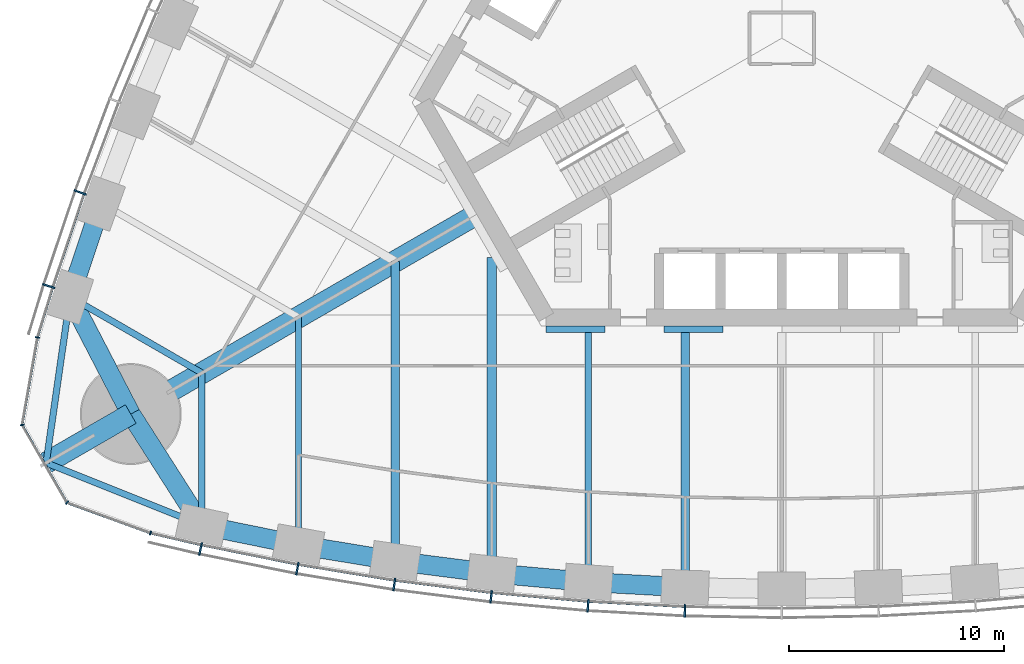
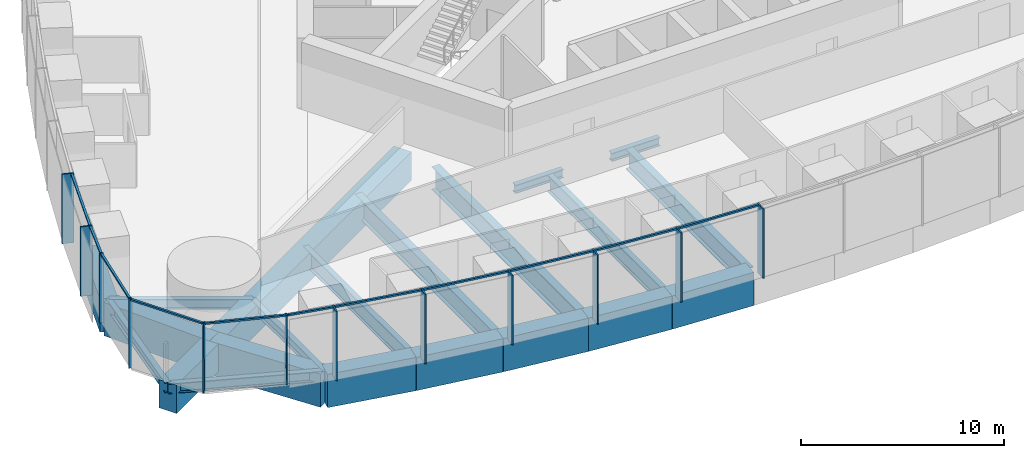
# One storey, part 2 of 18: 23 members, 21 beams, 3 elements without a shape of their own.
"""IFC4 building model written with IfcOpenShell, lengths in metres."""

from ifc_helpers import new_model, si_unit, direction, frame, origin, origin_2d, place, context, subcontext, project, spatial, rectangle, i_section, extrude, material, material_profile, profile_set, type_object, element, aggregate, save


model = new_model("IFC4")

# Units and contexts
model_context = context("Model", 3, precision=1e-05, world=origin(), true_north=direction((0.0, 1.0)))
body_context = subcontext(model_context, "Body", "Model", "MODEL_VIEW")
ifc_project = project(units=[si_unit("LENGTHUNIT", "METRE"), si_unit("AREAUNIT", "SQUARE_METRE"), si_unit("VOLUMEUNIT", "CUBIC_METRE"), si_unit("PLANEANGLEUNIT", "RADIAN"), si_unit("MASSUNIT", "GRAM", prefix="KILO")], contexts=[model_context])

# Site, building, storey
site_placement = place(None, origin())
site = spatial("IfcSite", under=ifc_project, at=site_placement, CompositionType="ELEMENT")
building_placement = place(site_placement, origin())
building = spatial("IfcBuilding", under=site, at=building_placement, Name="Trefoil Bronze Tower", CompositionType="ELEMENT")
storey_placement = place(building_placement, frame((0.0, 0.0, 111.5)))
storey = spatial("IfcBuildingStorey", under=building, at=storey_placement, Name="L25", CompositionType="ELEMENT", Elevation=111.5)

# Curtain wall, members
ifc_material_1 = material(Name="Tinted solar-control glass", Category="glass")
curtain_wall_type_1 = type_object("IfcCurtainWallType", Name="Bronze office curtain wall", PredefinedType="USERDEFINED", material=ifc_material_1)
curtain_wall_1_placement = place(storey_placement, origin())
curtain_wall_1 = element("IfcCurtainWall", 1, at=curtain_wall_1_placement, inside=storey, type_object=curtain_wall_type_1, Name="CW-A L25 F1", ObjectType="CURTAIN WALL", PredefinedType="USERDEFINED")
ifc_material_2 = material(Name="Bronze-finish aluminium", Category="aluminium")
ifc_material_profile_1 = material_profile(ifc_material_2, rectangle(XDim=0.60009765625, YDim=0.080078125, at=origin_2d()), Name="CW-A mullion")
ifc_profile_set_1 = profile_set([ifc_material_profile_1], Name="Bronze-finish aluminium")
member_type_1 = type_object("IfcMemberType", Name="Bronze office curtain wall mullion", PredefinedType="MULLION", material=ifc_profile_set_1)
member_1_placement = place(storey_placement, frame((-27.0634765625, -23.7890625, 0.0), z_axis=(0.0, 0.0, 1.0), x_axis=(0.21197042503, 0.977276081214, 0.0)))
member_1 = element("IfcMember", 2, at=member_1_placement, type_object=member_type_1, Name="CW-A L25 F1 mullion 2", PredefinedType="MULLION", context=body_context, shape_type="SweptSolid", body=[
    extrude(rectangle(XDim=0.60009765625, YDim=0.080078125, at=origin_2d()), origin(), (0.0, 0.0, 1.0), 4.179931640625),
])
member_2_placement = place(storey_placement, frame((-22.553955078125, -24.700927734375, 0.0), z_axis=(0.0, 0.0, 1.0), x_axis=(0.180240853954, 0.98362250613, 0.0)))
member_2 = element("IfcMember", 3, at=member_2_placement, type_object=member_type_1, Name="CW-A L25 F1 mullion 3", PredefinedType="MULLION", context=body_context, shape_type="SweptSolid", body=[
    extrude(rectangle(XDim=0.60009765625, YDim=0.080078125, at=origin_2d()), origin(), (0.0, 0.0, 1.0), 4.179931640625),
])
member_3_placement = place(storey_placement, frame((-18.043212890625, -25.4423828125, 0.0), z_axis=(0.0, 0.0, 1.0), x_axis=(0.144192103798, 0.989549714366, 0.0)))
member_3 = element("IfcMember", 4, at=member_3_placement, type_object=member_type_1, Name="CW-A L25 F1 mullion 4", PredefinedType="MULLION", context=body_context, shape_type="SweptSolid", body=[
    extrude(rectangle(XDim=0.60009765625, YDim=0.080078125, at=origin_2d()), origin(), (0.0, 0.0, 1.0), 4.179931640625),
])
member_4_placement = place(storey_placement, frame((-13.532470703125, -26.01611328125, 0.0), z_axis=(0.0, 0.0, 1.0), x_axis=(0.108143747013, 0.994135267447, 0.0)))
member_4 = element("IfcMember", 5, at=member_4_placement, type_object=member_type_1, Name="CW-A L25 F1 mullion 5", PredefinedType="MULLION", context=body_context, shape_type="SweptSolid", body=[
    extrude(rectangle(XDim=0.60009765625, YDim=0.080078125, at=origin_2d()), origin(), (0.0, 0.0, 1.0), 4.179931640625),
])
member_5_placement = place(storey_placement, frame((-9.021728515625, -26.424072265625, 0.0), z_axis=(0.0, 0.0, 1.0), x_axis=(0.072095676284, 0.997397720802, 0.0)))
member_5 = element("IfcMember", 6, at=member_5_placement, type_object=member_type_1, Name="CW-A L25 F1 mullion 6", PredefinedType="MULLION", context=body_context, shape_type="SweptSolid", body=[
    extrude(rectangle(XDim=0.60009765625, YDim=0.080078125, at=origin_2d()), origin(), (0.0, 0.0, 1.0), 4.179931640625),
])
member_6_placement = place(storey_placement, frame((-4.5107421875, -26.66845703125, 0.0), z_axis=(0.0, 0.0, 1.0), x_axis=(0.036047792107, 0.999350067136, 0.0)))
member_6 = element("IfcMember", 7, at=member_6_placement, type_object=member_type_1, Name="CW-A L25 F1 mullion 7", PredefinedType="MULLION", context=body_context, shape_type="SweptSolid", body=[
    extrude(rectangle(XDim=0.60009765625, YDim=0.080078125, at=origin_2d()), origin(), (0.0, 0.0, 1.0), 4.179931640625),
])

curtain_wall_2_placement = place(storey_placement, origin())
curtain_wall_2 = element("IfcCurtainWall", 8, at=curtain_wall_2_placement, inside=storey, type_object=curtain_wall_type_1, Name="CW-A L25 F3", ObjectType="CURTAIN WALL", PredefinedType="USERDEFINED")
member_7_placement = place(storey_placement, frame((-32.668701171875, -7.181884765625, 0.0), z_axis=(0.0, 0.0, 1.0), x_axis=(0.94196250502, -0.335718094742, 0.0)))
member_7 = element("IfcMember", 9, at=member_7_placement, type_object=member_type_1, Name="CW-A L25 F3 mullion 13", PredefinedType="MULLION", context=body_context, shape_type="SweptSolid", body=[
    extrude(rectangle(XDim=0.60009765625, YDim=0.080078125, at=origin_2d()), origin(), (0.0, 0.0, 1.0), 4.179931640625),
])
member_8_placement = place(storey_placement, frame((-34.1337890625, -11.543212890625, 0.0), z_axis=(0.0, 0.0, 1.0), x_axis=(0.952331125357, -0.30506626768, 0.0)))
member_8 = element("IfcMember", 10, at=member_8_placement, type_object=member_type_1, Name="CW-A L25 F3 mullion 14", PredefinedType="MULLION", context=body_context, shape_type="SweptSolid", body=[
    extrude(rectangle(XDim=0.60009765625, YDim=0.080078125, at=origin_2d()), origin(), (0.0, 0.0, 1.0), 4.179931640625),
])

# Member
ifc_material_3 = material(Name="Bronze-finish aluminium", Category="aluminium")
ifc_material_profile_2 = material_profile(ifc_material_3, rectangle(XDim=0.1201171875, YDim=0.10009765625, at=origin_2d()), Name="CW-A transom")
ifc_profile_set_2 = profile_set([ifc_material_profile_2], Name="Bronze-finish aluminium")
member_type_2 = type_object("IfcMemberType", Name="Bronze office curtain wall transom", PredefinedType="USERDEFINED", material=ifc_profile_set_2)
member_9_placement = place(storey_placement, frame((-29.34130859375, -23.05615234375, 4.1298828125), z_axis=(0.974206243495, -0.225659467196, 0.0), x_axis=(0.225659467196, 0.974206243495, 0.0)))
member_9 = element("IfcMember", 11, at=member_9_placement, type_object=member_type_2, Name="CW-A L25 F1 transom 1", ObjectType="TRANSOM", PredefinedType="USERDEFINED", context=body_context, shape_type="SweptSolid", body=[
    extrude(rectangle(XDim=0.1201171875, YDim=0.10009765625, at=origin_2d()), origin(), (0.0, 0.0, 1.0), 2.340087890625),
])

member_10_placement = place(storey_placement, frame((-26.980712890625, -23.601806640625, 4.1298828125), z_axis=(0.980153749225, -0.198238815273, 0.0), x_axis=(0.198238815273, 0.980153749225, 0.0)))
member_10 = element("IfcMember", 12, at=member_10_placement, type_object=member_type_2, Name="CW-A L25 F1 transom 2", ObjectType="TRANSOM", PredefinedType="USERDEFINED", context=body_context, shape_type="SweptSolid", body=[
    extrude(rectangle(XDim=0.1201171875, YDim=0.10009765625, at=origin_2d()), origin(), (0.0, 0.0, 1.0), 4.51123046875),
])

member_11_placement = place(storey_placement, frame((-22.476806640625, -24.510986328125, 4.1298828125), z_axis=(0.986755265284, -0.162216048636, 0.0), x_axis=(0.162216048636, 0.986755265284, 0.0)))
member_11 = element("IfcMember", 13, at=member_11_placement, type_object=member_type_2, Name="CW-A L25 F1 transom 3", ObjectType="TRANSOM", PredefinedType="USERDEFINED", context=body_context, shape_type="SweptSolid", body=[
    extrude(rectangle(XDim=0.1201171875, YDim=0.10009765625, at=origin_2d()), origin(), (0.0, 0.0, 1.0), 4.48046875),
])

member_12_placement = place(storey_placement, frame((-17.972900390625, -25.249755859375, 4.1298828125), z_axis=(0.992008387848, -0.12617193998, 0.0), x_axis=(0.12617193998, 0.992008387848, 0.0)))
member_12 = element("IfcMember", 14, at=member_12_placement, type_object=member_type_2, Name="CW-A L25 F1 transom 4", ObjectType="TRANSOM", PredefinedType="USERDEFINED", context=body_context, shape_type="SweptSolid", body=[
    extrude(rectangle(XDim=0.1201171875, YDim=0.10009765625, at=origin_2d()), origin(), (0.0, 0.0, 1.0), 4.456298828125),
])

member_13_placement = place(storey_placement, frame((-13.46923828125, -25.821044921875, 4.1298828125), z_axis=(0.995932787062, -0.090099298863, 0.0), x_axis=(0.090099298863, 0.995932787062, 0.0)))
member_13 = element("IfcMember", 15, at=member_13_placement, type_object=member_type_2, Name="CW-A L25 F1 transom 5", ObjectType="TRANSOM", PredefinedType="USERDEFINED", context=body_context, shape_type="SweptSolid", body=[
    extrude(rectangle(XDim=0.1201171875, YDim=0.10009765625, at=origin_2d()), origin(), (0.0, 0.0, 1.0), 4.4384765625),
])

member_14_placement = place(storey_placement, frame((-8.965576171875, -26.22705078125, 4.1298828125), z_axis=(0.998538253569, -0.054049571306, 0.0), x_axis=(0.054049571306, 0.998538253569, 0.0)))
member_14 = element("IfcMember", 16, at=member_14_placement, type_object=member_type_2, Name="CW-A L25 F1 transom 6", ObjectType="TRANSOM", PredefinedType="USERDEFINED", context=body_context, shape_type="SweptSolid", body=[
    extrude(rectangle(XDim=0.1201171875, YDim=0.10009765625, at=origin_2d()), origin(), (0.0, 0.0, 1.0), 4.4267578125),
])

aggregate(curtain_wall_1, [member_1, member_2, member_3, member_4, member_5, member_6, member_9, member_10, member_11, member_12, member_13, member_14])

member_15_placement = place(storey_placement, frame((-32.49365234375, -7.28857421875, 4.1298828125), z_axis=(-0.318386323729, -0.947961048178, 0.0), x_axis=(0.947961048178, -0.318386323729, 0.0)))
member_15 = element("IfcMember", 17, at=member_15_placement, type_object=member_type_2, Name="CW-A L25 F3 transom 13", ObjectType="TRANSOM", PredefinedType="USERDEFINED", context=body_context, shape_type="SweptSolid", body=[
    extrude(rectangle(XDim=0.1201171875, YDim=0.10009765625, at=origin_2d()), origin(), (0.0, 0.0, 1.0), 4.51123046875),
])

member_16_placement = place(storey_placement, frame((-33.955322265625, -11.643798828125, 4.1298828125), z_axis=(-0.291680468798, -0.956515814883, 0.0), x_axis=(0.956515814883, -0.291680468798, 0.0)))
member_16 = element("IfcMember", 18, at=member_16_placement, type_object=member_type_2, Name="CW-A L25 F3 transom 14", ObjectType="TRANSOM", PredefinedType="USERDEFINED", context=body_context, shape_type="SweptSolid", body=[
    extrude(rectangle(XDim=0.1201171875, YDim=0.10009765625, at=origin_2d()), origin(), (0.0, 0.0, 1.0), 2.34033203125),
])

aggregate(curtain_wall_2, [member_7, member_8, member_15, member_16])

# Curtain wall, members
ifc_material_4 = material(Name="Tinted solar-control glass", Category="glass")
curtain_wall_type_2 = type_object("IfcCurtainWallType", Name="Bronze rounded corner curtain wall", PredefinedType="USERDEFINED", material=ifc_material_4)
curtain_wall_3_placement = place(storey_placement, origin())
curtain_wall_3 = element("IfcCurtainWall", 19, at=curtain_wall_3_placement, inside=storey, type_object=curtain_wall_type_2, Name="CW-B L25 K3", ObjectType="CURTAIN WALL", PredefinedType="USERDEFINED")
ifc_material_5 = material(Name="Bronze-finish aluminium", Category="aluminium")
ifc_material_profile_3 = material_profile(ifc_material_5, rectangle(XDim=0.199951171875, YDim=0.06005859375, at=origin_2d()), Name="CW-B mullion")
ifc_profile_set_3 = profile_set([ifc_material_profile_3], Name="Bronze-finish aluminium")
member_type_3 = type_object("IfcMemberType", Name="Bronze rounded corner curtain wall mullion", PredefinedType="MULLION", material=ifc_profile_set_3)
member_17_placement = place(storey_placement, frame((-34.65234375, -13.932373046875, 0.0), z_axis=(0.0, 0.0, 1.0), x_axis=(0.984807753012, -0.173648177667, 0.0)))
member_17 = element("IfcMember", 20, at=member_17_placement, type_object=member_type_3, Name="CW-B L25 K3 mullion 1", PredefinedType="MULLION", context=body_context, shape_type="SweptSolid", body=[
    extrude(rectangle(XDim=0.199951171875, YDim=0.06005859375, at=origin_2d()), origin(), (0.0, 0.0, 1.0), 4.179931640625),
])
member_18_placement = place(storey_placement, frame((-35.364990234375, -18.009033203125, 0.0), z_axis=(0.0, 0.0, 1.0), x_axis=(0.984807753012, 0.173648177667, 0.0)))
member_18 = element("IfcMember", 21, at=member_18_placement, type_object=member_type_3, Name="CW-B L25 K3 mullion 2", PredefinedType="MULLION", context=body_context, shape_type="SweptSolid", body=[
    extrude(rectangle(XDim=0.199951171875, YDim=0.06005859375, at=origin_2d()), origin(), (0.0, 0.0, 1.0), 4.179931640625),
])
member_19_placement = place(storey_placement, frame((-33.27880859375, -21.62255859375, 0.0), z_axis=(0.0, 0.0, 1.0), x_axis=(0.642787609687, 0.766044443119, 0.0)))
member_19 = element("IfcMember", 22, at=member_19_placement, type_object=member_type_3, Name="CW-B L25 K3 mullion 3", PredefinedType="MULLION", context=body_context, shape_type="SweptSolid", body=[
    extrude(rectangle(XDim=0.199951171875, YDim=0.06005859375, at=origin_2d()), origin(), (0.0, 0.0, 1.0), 4.179931640625),
])
member_20_placement = place(storey_placement, frame((-29.391845703125, -23.043701171875, 0.0), z_axis=(0.0, 0.0, 1.0), x_axis=(0.342020143326, 0.939692620786, 0.0)))
member_20 = element("IfcMember", 23, at=member_20_placement, type_object=member_type_3, Name="CW-B L25 K3 mullion 4", PredefinedType="MULLION", context=body_context, shape_type="SweptSolid", body=[
    extrude(rectangle(XDim=0.199951171875, YDim=0.06005859375, at=origin_2d()), origin(), (0.0, 0.0, 1.0), 4.179931640625),
])
ifc_material_6 = material(Name="Bronze-finish aluminium", Category="aluminium")
ifc_material_profile_4 = material_profile(ifc_material_6, rectangle(XDim=0.1201171875, YDim=0.10009765625, at=origin_2d()), Name="CW-B transom")
ifc_profile_set_4 = profile_set([ifc_material_profile_4], Name="Bronze-finish aluminium")
member_type_4 = type_object("IfcMemberType", Name="Bronze rounded corner curtain wall transom", PredefinedType="USERDEFINED", material=ifc_profile_set_4)
member_21_placement = place(storey_placement, frame((-34.657470703125, -13.9619140625, 4.1298828125), z_axis=(-0.173682016639, -0.984801785689, 0.0), x_axis=(0.984801785689, -0.173682016639, 0.0)))
member_21 = element("IfcMember", 24, at=member_21_placement, type_object=member_type_4, Name="CW-B L25 K3 transom 1", ObjectType="TRANSOM", PredefinedType="USERDEFINED", context=body_context, shape_type="SweptSolid", body=[
    extrude(rectangle(XDim=0.1201171875, YDim=0.10009765625, at=origin_2d()), origin(), (0.0, 0.0, 1.0), 4.044189453125),
])
member_22_placement = place(storey_placement, frame((-35.338134765625, -18.067626953125, 4.1298828125), z_axis=(0.500015078168, -0.866016698225, 0.0), x_axis=(0.866016698225, 0.500015078168, 0.0)))
member_22 = element("IfcMember", 25, at=member_22_placement, type_object=member_type_4, Name="CW-B L25 K3 transom 2", ObjectType="TRANSOM", PredefinedType="USERDEFINED", context=body_context, shape_type="SweptSolid", body=[
    extrude(rectangle(XDim=0.1201171875, YDim=0.10009765625, at=origin_2d()), origin(), (0.0, 0.0, 1.0), 4.04443359375),
])
member_23_placement = place(storey_placement, frame((-33.220458984375, -21.650146484375, 4.1298828125), z_axis=(0.939684096629, -0.342043562347, 0.0), x_axis=(0.342043562347, 0.939684096629, 0.0)))
member_23 = element("IfcMember", 26, at=member_23_placement, type_object=member_type_4, Name="CW-B L25 K3 transom 3", ObjectType="TRANSOM", PredefinedType="USERDEFINED", context=body_context, shape_type="SweptSolid", body=[
    extrude(rectangle(XDim=0.1201171875, YDim=0.10009765625, at=origin_2d()), origin(), (0.0, 0.0, 1.0), 4.044189453125),
])
aggregate(curtain_wall_3, [member_17, member_18, member_19, member_20, member_21, member_22, member_23])

# Beams
ifc_material_7 = material(Name="Steel C355", Category="steel")
ifc_material_profile_5 = material_profile(ifc_material_7, i_section(OverallWidth=0.300048828125, OverallDepth=0.5, WebThickness=0.014404296875, FlangeThickness=0.028076171875, FilletRadius=0.027099609375, at=origin_2d()), Name="HEB 500")
ifc_profile_set_5 = profile_set([ifc_material_profile_5], Name="Steel C355")
beam_type_1 = type_object("IfcBeamType", Name="Core seat beam HEB 500", PredefinedType="BEAM", material=ifc_profile_set_5)
for number, where, z_axis, x_axis, name in (
    (27, (-10.9697265625, -13.550048828125, -0.449951171875), (1.0, 0.0, 0.0), (0.0, 1.0, 0.0), "Core seat beam F1/-2 L25"),
    (28, (-5.48486328125, -13.550048828125, -0.449951171875), (1.0, 0.0, 0.0), (0.0, 1.0, 0.0), "Core seat beam F1/-1 L25"),
):
    element("IfcBeam", number, at=place(storey_placement, frame(where, z_axis=z_axis, x_axis=x_axis)), inside=storey, type_object=beam_type_1, Name=name, PredefinedType="BEAM", context=body_context, shape_type="SweptSolid", body=[
        extrude(i_section(OverallWidth=0.300048828125, OverallDepth=0.5, WebThickness=0.014404296875, FlangeThickness=0.028076171875, FilletRadius=0.027099609375, at=origin_2d()), origin(), (0.0, 0.0, 1.0), 2.742431640625),
    ])
ifc_material_8 = material(Name="Concrete B80", Category="concrete")
ifc_material_profile_6 = material_profile(ifc_material_8, rectangle(XDim=1.0, YDim=1.699951171875, at=origin_2d()), Name="RC 1000x1700")
ifc_profile_set_6 = profile_set([ifc_material_profile_6], Name="Concrete B80")
beam_type_2 = type_object("IfcBeamType", Name="Corner cantilever RC 1000x1700", PredefinedType="BEAM", material=ifc_profile_set_6)
beam_1_placement = place(storey_placement, frame((-30.310791015625, -17.5, -1.050048828125), z_axis=(-0.866031878637, -0.499988785058, 0.0), x_axis=(0.499988785058, -0.866031878637, 0.0)))
element("IfcBeam", 29, at=beam_1_placement, inside=storey, type_object=beam_type_2, Name="Corner cantilever K3 L25", PredefinedType="BEAM", context=body_context, shape_type="SweptSolid", body=[
    extrude(rectangle(XDim=1.0, YDim=1.699951171875, at=origin_2d()), origin(), (0.0, 0.0, 1.0), 4.54931640625),
])
ifc_material_9 = material(Name="Steel C355", Category="steel")
ifc_material_profile_7 = material_profile(ifc_material_9, i_section(OverallWidth=0.300048828125, OverallDepth=0.60009765625, WebThickness=0.015380859375, FlangeThickness=0.030029296875, FilletRadius=0.027099609375, at=origin_2d()), Name="HEB 600")
ifc_profile_set_7 = profile_set([ifc_material_profile_7], Name="Steel C355")
beam_type_3 = type_object("IfcBeamType", Name="Corner edge beam HEB 600", PredefinedType="BEAM", material=ifc_profile_set_7)
for number, where, z_axis, x_axis, name in (
    (30, (-27.0, -22.67724609375, -0.5), (-0.928375332495, 0.371643972122, 0.0), (-0.371643972122, -0.928375332495, 0.0), "Corner edge beam F1B L25"),
    (31, (-33.13916015625, -12.044189453125, -0.5), (-0.142327214588, -0.989819662357, 0.0), (0.989819662357, -0.142327214588, 0.0), "Corner edge beam F3A L25"),
):
    element("IfcBeam", number, at=place(storey_placement, frame(where, z_axis=z_axis, x_axis=x_axis)), inside=storey, type_object=beam_type_3, Name=name, PredefinedType="BEAM", context=body_context, shape_type="SweptSolid", body=[
        extrude(i_section(OverallWidth=0.300048828125, OverallDepth=0.60009765625, WebThickness=0.015380859375, FlangeThickness=0.030029296875, FilletRadius=0.027099609375, at=origin_2d()), origin(), (0.0, 0.0, 1.0), 7.81005859375),
    ])
ifc_material_10 = material(Name="Concrete B80", Category="concrete")
ifc_material_profile_8 = material_profile(ifc_material_10, rectangle(XDim=1.0, YDim=1.699951171875, at=origin_2d()), Name="RC 1000x1700")
ifc_profile_set_8 = profile_set([ifc_material_profile_8], Name="Concrete B80")
beam_type_4 = type_object("IfcBeamType", Name="Corner girder RC 1000x1700", PredefinedType="BEAM", material=ifc_profile_set_8)
beam_2_placement = place(storey_placement, frame((-14.202880859375, -8.199951171875, -1.050048828125), z_axis=(-0.866022084834, -0.500005748546, 0.0), x_axis=(0.500005748546, -0.866022084834, 0.0)))
element("IfcBeam", 32, at=beam_2_placement, inside=storey, type_object=beam_type_4, Name="Corner girder K3 L25", PredefinedType="BEAM", context=body_context, shape_type="SweptSolid", body=[
    extrude(rectangle(XDim=1.0, YDim=1.699951171875, at=origin_2d()), origin(), (0.0, 0.0, 1.0), 18.599853515625),
])
ifc_material_11 = material(Name="Concrete B80", Category="concrete")
ifc_material_profile_9 = material_profile(ifc_material_11, rectangle(XDim=0.89990234375, YDim=2.0, at=origin_2d()), Name="RC 900x2000")
ifc_profile_set_9 = profile_set([ifc_material_profile_9], Name="Concrete B80")
beam_type_5 = type_object("IfcBeamType", Name="End spandrel beam RC 900x2000", PredefinedType="SPANDREL", material=ifc_profile_set_9)
for number, where, z_axis, x_axis, name in (
    (33, (-30.310791015625, -17.5, -1.199951171875), (0.53874814953, -0.84246687257, 0.0), (0.84246687257, 0.53874814953, 0.0), "Spandrel F1.1 L25"),
    (34, (-33.13916015625, -12.044189453125, -1.199951171875), (0.460244107083, -0.887792409235, 0.0), (0.887792409235, 0.460244107083, 0.0), "Spandrel F3.14 L25"),
):
    element("IfcBeam", number, at=place(storey_placement, frame(where, z_axis=z_axis, x_axis=x_axis)), inside=storey, type_object=beam_type_5, Name=name, PredefinedType="SPANDREL", context=body_context, shape_type="SweptSolid", body=[
        extrude(rectangle(XDim=0.89990234375, YDim=2.0, at=origin_2d()), origin(), (0.0, 0.0, 1.0), 6.145263671875),
    ])
ifc_material_12 = material(Name="Steel C355", Category="steel")
ifc_material_profile_10 = material_profile(ifc_material_12, i_section(OverallWidth=0.300048828125, OverallDepth=1.0, WebThickness=0.01904296875, FlangeThickness=0.035888671875, FilletRadius=0.030029296875, at=origin_2d()), Name="HEB 1000")
ifc_profile_set_10 = profile_set([ifc_material_profile_10], Name="Steel C355")
beam_type_6 = type_object("IfcBeamType", Name="Floor beam HEB 1000", PredefinedType="BEAM", material=ifc_profile_set_10)
beam_3_placement = place(storey_placement, frame((-22.5, -23.592529296875, -0.699951171875), z_axis=(0.0, 1.0, 0.0), x_axis=(-1.0, 0.0, 0.0)))
element("IfcBeam", 35, at=beam_3_placement, inside=storey, type_object=beam_type_6, Name="Floor beam F1/-5 L25", PredefinedType="BEAM", context=body_context, shape_type="SweptSolid", body=[
    extrude(i_section(OverallWidth=0.300048828125, OverallDepth=1.0, WebThickness=0.01904296875, FlangeThickness=0.035888671875, FilletRadius=0.030029296875, at=origin_2d()), origin(), (0.0, 0.0, 1.0), 10.60205078125),
])
ifc_material_13 = material(Name="Steel C355", Category="steel")
ifc_material_profile_11 = material_profile(ifc_material_13, i_section(OverallWidth=0.300048828125, OverallDepth=0.60009765625, WebThickness=0.015380859375, FlangeThickness=0.030029296875, FilletRadius=0.027099609375, at=origin_2d()), Name="HEB 600")
ifc_profile_set_11 = profile_set([ifc_material_profile_11], Name="Steel C355")
beam_type_7 = type_object("IfcBeamType", Name="Floor beam HEB 600", PredefinedType="BEAM", material=ifc_profile_set_11)
for number, where, z_axis, x_axis, name in (
    (36, (-27.0, -22.67724609375, -0.5), (0.0, 1.0, 0.0), (-1.0, 0.0, 0.0), "Floor beam F1/-6 L25"),
    (37, (-33.13916015625, -12.044189453125, -0.5), (0.866041060244, -0.499972881236, 0.0), (0.499972881236, 0.866041060244, 0.0), "Floor beam F3/+6 L25"),
):
    element("IfcBeam", number, at=place(storey_placement, frame(where, z_axis=z_axis, x_axis=x_axis)), inside=storey, type_object=beam_type_7, Name=name, PredefinedType="BEAM", context=body_context, shape_type="SweptSolid", body=[
        extrude(i_section(OverallWidth=0.300048828125, OverallDepth=0.60009765625, WebThickness=0.015380859375, FlangeThickness=0.030029296875, FilletRadius=0.027099609375, at=origin_2d()), origin(), (0.0, 0.0, 1.0), 7.0888671875),
    ])
ifc_material_14 = material(Name="Steel C355", Category="steel")
ifc_material_profile_12 = material_profile(ifc_material_14, i_section(OverallWidth=0.302001953125, OverallDepth=1.008056640625, WebThickness=0.02099609375, FlangeThickness=0.0400390625, FilletRadius=0.030029296875, at=origin_2d()), Name="HEM 1000")
ifc_profile_set_12 = profile_set([ifc_material_profile_12], Name="Steel C355")
beam_type_8 = type_object("IfcBeamType", Name="Floor beam HEM 1000", PredefinedType="BEAM", material=ifc_profile_set_12)
beam_4_placement = place(storey_placement, frame((-9.0, -25.32275390625, -0.7041015625), z_axis=(0.0, 1.0, 0.0), x_axis=(-1.0, 0.0, 0.0)))
element("IfcBeam", 38, at=beam_4_placement, inside=storey, type_object=beam_type_8, Name="Floor beam F1/-2 L25", PredefinedType="BEAM", context=body_context, shape_type="SweptSolid", body=[
    extrude(i_section(OverallWidth=0.302001953125, OverallDepth=1.008056640625, WebThickness=0.02099609375, FlangeThickness=0.0400390625, FilletRadius=0.030029296875, at=origin_2d()), origin(), (0.0, 0.0, 1.0), 11.622802734375),
])
ifc_material_15 = material(Name="Steel C355", Category="steel")
ifc_material_profile_13 = material_profile(ifc_material_15, i_section(OverallWidth=0.39990234375, OverallDepth=1.199951171875, WebThickness=0.02001953125, FlangeThickness=0.0400390625, FilletRadius=0.010009765625, at=origin_2d()), Name="WPG 1200")
ifc_profile_set_13 = profile_set([ifc_material_profile_13], Name="Steel C355")
beam_type_9 = type_object("IfcBeamType", Name="Floor beam WPG 1200", PredefinedType="BEAM", material=ifc_profile_set_13)
beam_5_placement = place(storey_placement, frame((-18.0, -24.337158203125, -0.800048828125), z_axis=(0.0, 1.0, 0.0), x_axis=(-1.0, 0.0, 0.0)))
element("IfcBeam", 39, at=beam_5_placement, inside=storey, type_object=beam_type_9, Name="Floor beam F1/-4 L25", PredefinedType="BEAM", context=body_context, shape_type="SweptSolid", body=[
    extrude(i_section(OverallWidth=0.39990234375, OverallDepth=1.199951171875, WebThickness=0.02001953125, FlangeThickness=0.0400390625, FilletRadius=0.010009765625, at=origin_2d()), origin(), (0.0, 0.0, 1.0), 13.94482421875),
])
beam_6_placement = place(storey_placement, frame((-4.5, -25.568115234375, -0.800048828125), z_axis=(0.0, 1.0, 0.0), x_axis=(-1.0, 0.0, 0.0)))
element("IfcBeam", 40, at=beam_6_placement, inside=storey, type_object=beam_type_9, Name="Floor beam F1/-1 L25", PredefinedType="BEAM", context=body_context, shape_type="SweptSolid", body=[
    extrude(i_section(OverallWidth=0.39990234375, OverallDepth=1.199951171875, WebThickness=0.02001953125, FlangeThickness=0.0400390625, FilletRadius=0.010009765625, at=origin_2d()), origin(), (0.0, 0.0, 1.0), 11.8681640625),
])
ifc_material_16 = material(Name="Steel C355", Category="steel")
ifc_material_profile_14 = material_profile(ifc_material_16, i_section(OverallWidth=0.449951171875, OverallDepth=1.39990234375, WebThickness=0.02294921875, FlangeThickness=0.044921875, FilletRadius=0.011962890625, at=origin_2d()), Name="WPG 1400")
ifc_profile_set_14 = profile_set([ifc_material_profile_14], Name="Steel C355")
beam_type_10 = type_object("IfcBeamType", Name="Floor beam WPG 1400", PredefinedType="BEAM", material=ifc_profile_set_14)
beam_7_placement = place(storey_placement, frame((-13.5, -24.9130859375, -0.89990234375), z_axis=(0.0, 1.0, 0.0), x_axis=(-1.0, 0.0, 0.0)))
element("IfcBeam", 41, at=beam_7_placement, inside=storey, type_object=beam_type_10, Name="Floor beam F1/-3 L25", PredefinedType="BEAM", context=body_context, shape_type="SweptSolid", body=[
    extrude(i_section(OverallWidth=0.449951171875, OverallDepth=1.39990234375, WebThickness=0.02294921875, FlangeThickness=0.044921875, FilletRadius=0.011962890625, at=origin_2d()), origin(), (0.0, 0.0, 1.0), 14.69580078125),
])
ifc_material_17 = material(Name="Concrete B80", Category="concrete")
ifc_material_profile_15 = material_profile(ifc_material_17, rectangle(XDim=0.89990234375, YDim=2.0, at=origin_2d()), Name="RC 900x2000")
ifc_profile_set_15 = profile_set([ifc_material_profile_15], Name="Concrete B80")
beam_type_11 = type_object("IfcBeamType", Name="Spandrel beam RC 900x2000", PredefinedType="SPANDREL", material=ifc_profile_set_15)
beam_8_placement = place(storey_placement, frame((-27.0, -22.67724609375, -1.199951171875), z_axis=(0.979935430296, -0.199315208777, 0.0), x_axis=(0.199315208777, 0.979935430296, 0.0)))
element("IfcBeam", 42, at=beam_8_placement, inside=storey, type_object=beam_type_11, Name="Spandrel F1.2 L25", PredefinedType="SPANDREL", context=body_context, shape_type="SweptSolid", body=[
    extrude(rectangle(XDim=0.89990234375, YDim=2.0, at=origin_2d()), origin(), (0.0, 0.0, 1.0), 4.592041015625),
])
beam_9_placement = place(storey_placement, frame((-22.5, -23.592529296875, -1.199951171875), z_axis=(0.986584214684, -0.163253138823, 0.0), x_axis=(0.163253138823, 0.986584214684, 0.0)))
element("IfcBeam", 43, at=beam_9_placement, inside=storey, type_object=beam_type_11, Name="Spandrel F1.3 L25", PredefinedType="SPANDREL", context=body_context, shape_type="SweptSolid", body=[
    extrude(rectangle(XDim=0.89990234375, YDim=2.0, at=origin_2d()), origin(), (0.0, 0.0, 1.0), 4.561279296875),
])
beam_10_placement = place(storey_placement, frame((-18.0, -24.337158203125, -1.199951171875), z_axis=(0.991909314257, -0.126948463126, 0.0), x_axis=(0.126948463126, 0.991909314257, 0.0)))
element("IfcBeam", 44, at=beam_10_placement, inside=storey, type_object=beam_type_11, Name="Spandrel F1.4 L25", PredefinedType="SPANDREL", context=body_context, shape_type="SweptSolid", body=[
    extrude(rectangle(XDim=0.89990234375, YDim=2.0, at=origin_2d()), origin(), (0.0, 0.0, 1.0), 4.53662109375),
])
beam_11_placement = place(storey_placement, frame((-13.5, -24.9130859375, -1.199951171875), z_axis=(0.995881683815, -0.090662405894, 0.0), x_axis=(0.090662405894, 0.995881683815, 0.0)))
element("IfcBeam", 45, at=beam_11_placement, inside=storey, type_object=beam_type_11, Name="Spandrel F1.5 L25", PredefinedType="SPANDREL", context=body_context, shape_type="SweptSolid", body=[
    extrude(rectangle(XDim=0.89990234375, YDim=2.0, at=origin_2d()), origin(), (0.0, 0.0, 1.0), 4.5185546875),
])
beam_12_placement = place(storey_placement, frame((-9.0, -25.32275390625, -1.199951171875), z_axis=(0.998516832602, -0.054443870267, 0.0), x_axis=(0.054443870267, 0.998516832602, 0.0)))
element("IfcBeam", 46, at=beam_12_placement, inside=storey, type_object=beam_type_11, Name="Spandrel F1.6 L25", PredefinedType="SPANDREL", context=body_context, shape_type="SweptSolid", body=[
    extrude(rectangle(XDim=0.89990234375, YDim=2.0, at=origin_2d()), origin(), (0.0, 0.0, 1.0), 4.506591796875),
])
beam_13_placement = place(storey_placement, frame((-31.681884765625, -7.689208984375, -1.199951171875), z_axis=(-0.31732802068, -0.948315837309, 0.0), x_axis=(0.948315837309, -0.31732802068, 0.0)))
element("IfcBeam", 47, at=beam_13_placement, inside=storey, type_object=beam_type_11, Name="Spandrel F3.13 L25", PredefinedType="SPANDREL", context=body_context, shape_type="SweptSolid", body=[
    extrude(rectangle(XDim=0.89990234375, YDim=2.0, at=origin_2d()), origin(), (0.0, 0.0, 1.0), 4.59228515625),
])

save(model, "model.ifc")
